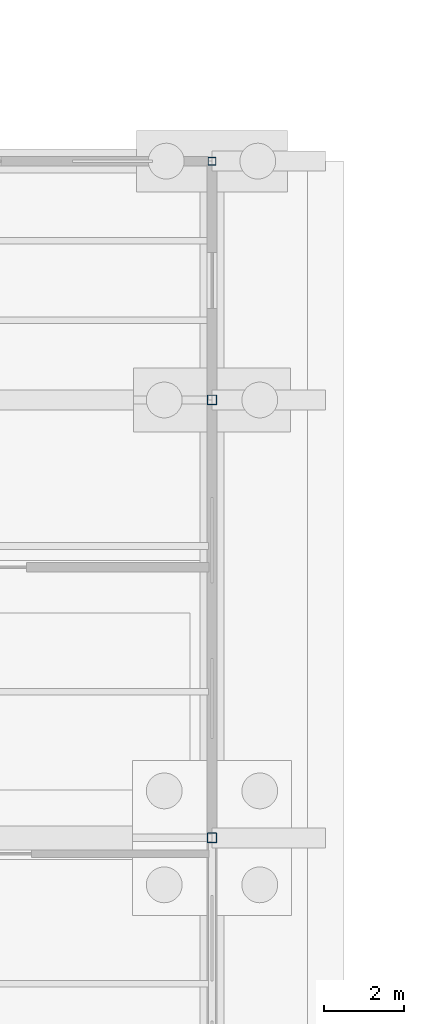
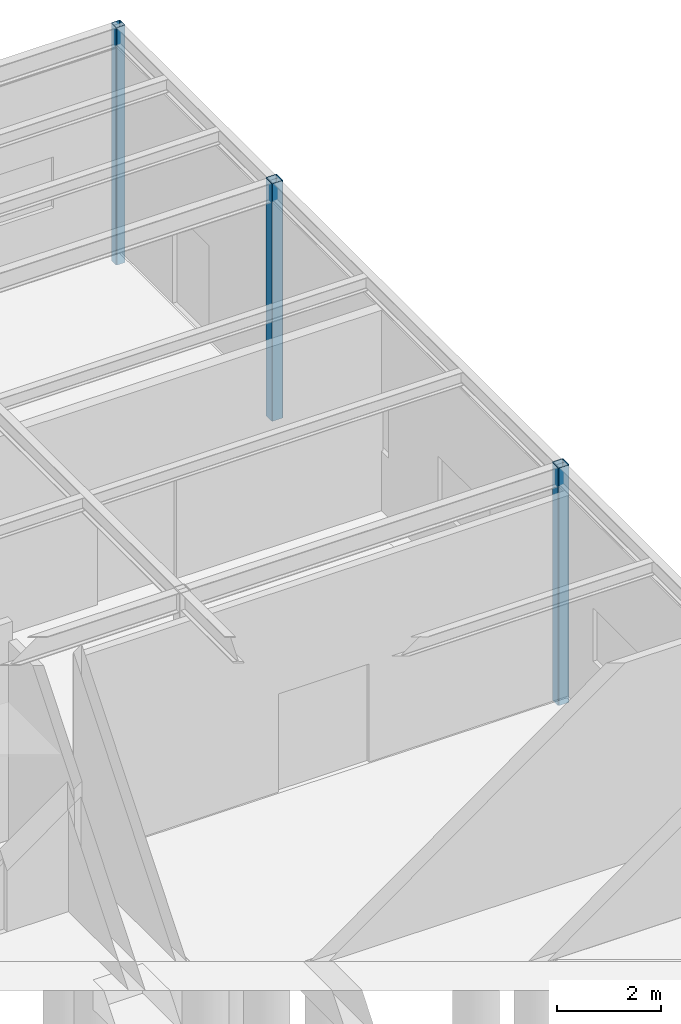
# One storey, part 30 of 129: 3 columns.
"""IFC4 building model written with IfcOpenShell, lengths in metres."""

from ifc_helpers import new_model, si_unit, direction, frame, origin, origin_2d, place, context, subcontext, project, spatial, hollow_rectangle, extrude, material, material_profile, profile_set, type_object, element, save


model = new_model("IFC4")

# Units and contexts
model_context = context("Model", 3, precision=1e-05, world=origin(), true_north=direction((0.0, 1.0)))
body_context = subcontext(model_context, "Body", "Model", "MODEL_VIEW")
ifc_project = project(units=[si_unit("LENGTHUNIT", "METRE"), si_unit("AREAUNIT", "SQUARE_METRE"), si_unit("VOLUMEUNIT", "CUBIC_METRE"), si_unit("PLANEANGLEUNIT", "RADIAN"), si_unit("MASSUNIT", "GRAM", prefix="KILO")], contexts=[model_context])

# Site, building, storey
site_placement = place(None, origin())
site = spatial("IfcSite", under=ifc_project, at=site_placement, CompositionType="ELEMENT")
building_placement = place(site_placement, origin())
building = spatial("IfcBuilding", under=site, at=building_placement, Name="Sitalva Quay Ferry Terminal", CompositionType="ELEMENT")
storey_placement = place(building_placement, origin())
storey = spatial("IfcBuildingStorey", under=building, at=storey_placement, Name="L01", CompositionType="ELEMENT", Elevation=0.0)

# Columns
ifc_material_1 = material(Name="Structural Steel S355JR", Category="steel")
ifc_material_profile_1 = material_profile(ifc_material_1, hollow_rectangle(XDim=0.199951171875, YDim=0.199951171875, WallThickness=0.010009765625, InnerFilletRadius=0.010009765625, OuterFilletRadius=0.02001953125, at=origin_2d()), Name="SHS200x200x10")
ifc_profile_set_1 = profile_set([ifc_material_profile_1], Name="Structural Steel S355JR")
column_type_1 = type_object("IfcColumnType", Name="Col_SHS200x10", PredefinedType="COLUMN", material=ifc_profile_set_1)
column_placement = place(storey_placement, frame((168.0, 106.0, -0.449951171875), z_axis=(0.0, 0.0, 1.0), x_axis=(1.0, 0.0, 0.0)))
element("IfcColumn", 1, at=column_placement, inside=storey, type_object=column_type_1, Name="L01 column 21M", PredefinedType="COLUMN", context=body_context, shape_type="SweptSolid", body=[
    extrude(hollow_rectangle(XDim=0.199951171875, YDim=0.199951171875, WallThickness=0.010009765625, InnerFilletRadius=0.010009765625, OuterFilletRadius=0.02001953125, at=origin_2d()), origin(), (0.0, 0.0, 1.0), 5.570068359375),
])
ifc_material_2 = material(Name="Structural Steel S355JR", Category="steel")
ifc_material_profile_2 = material_profile(ifc_material_2, hollow_rectangle(XDim=0.25, YDim=0.25, WallThickness=0.012451171875, InnerFilletRadius=0.012451171875, OuterFilletRadius=0.02490234375, at=origin_2d()), Name="SHS250x250x12.5")
ifc_profile_set_2 = profile_set([ifc_material_profile_2], Name="Structural Steel S355JR")
column_type_2 = type_object("IfcColumnType", Name="Col_SHS250x12", PredefinedType="COLUMN", material=ifc_profile_set_2)
for number, where, z_axis, x_axis, name in (
    (2, (168.0, 89.0, -0.449951171875), (0.0, 0.0, 1.0), (1.0, 0.0, 0.0), "L01 column 21K"),
    (3, (168.0, 100.0, -0.449951171875), (0.0, 0.0, 1.0), (1.0, 0.0, 0.0), "L01 column 21L"),
):
    element("IfcColumn", number, at=place(storey_placement, frame(where, z_axis=z_axis, x_axis=x_axis)), inside=storey, type_object=column_type_2, Name=name, PredefinedType="COLUMN", context=body_context, shape_type="SweptSolid", body=[
        extrude(hollow_rectangle(XDim=0.25, YDim=0.25, WallThickness=0.012451171875, InnerFilletRadius=0.012451171875, OuterFilletRadius=0.02490234375, at=origin_2d()), origin(), (0.0, 0.0, 1.0), 5.570068359375),
    ])

save(model, "model.ifc")
